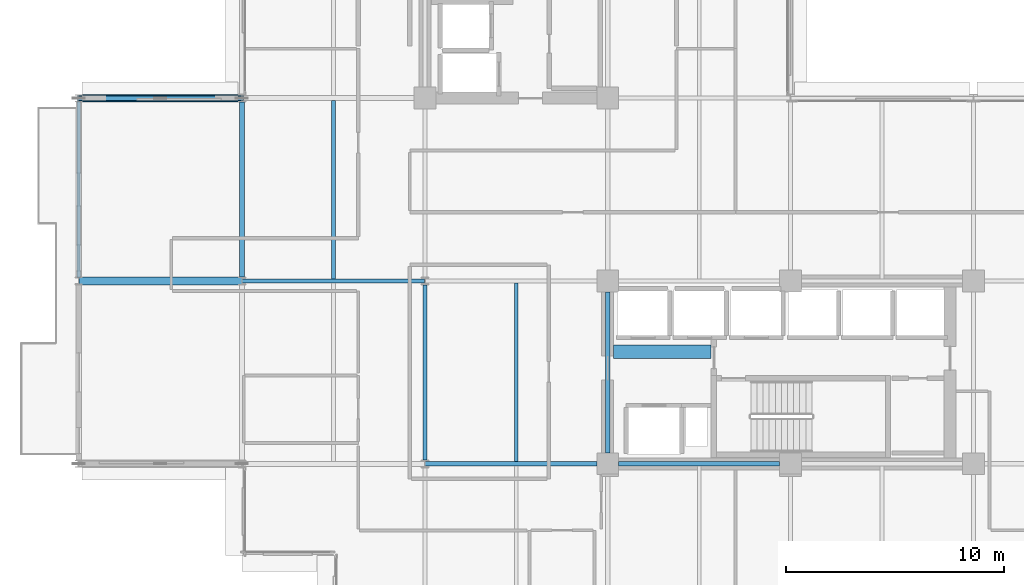
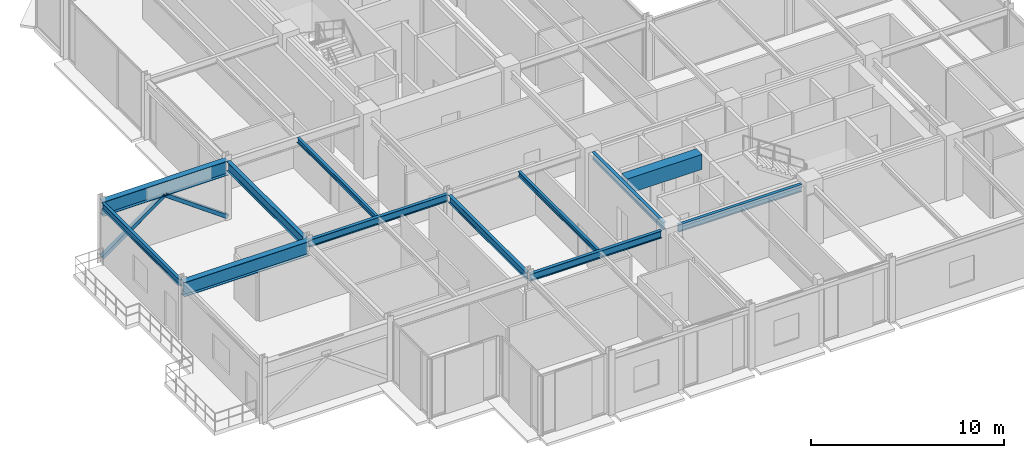
# One storey, part 8 of 30: 12 beams, 2 members.
"""IFC4 building model written with IfcOpenShell, lengths in metres."""

from ifc_helpers import new_model, si_unit, direction, frame, origin, origin_2d, place, context, subcontext, project, spatial, rectangle, hollow_rectangle, i_section, extrude, material, material_profile, profile_set, type_object, element, save


model = new_model("IFC4")

# Units and contexts
model_context = context("Model", 3, precision=1e-05, world=origin(), true_north=direction((0.0, 1.0)))
body_context = subcontext(model_context, "Body", "Model", "MODEL_VIEW")
ifc_project = project(units=[si_unit("LENGTHUNIT", "METRE"), si_unit("AREAUNIT", "SQUARE_METRE"), si_unit("VOLUMEUNIT", "CUBIC_METRE"), si_unit("PLANEANGLEUNIT", "RADIAN"), si_unit("MASSUNIT", "GRAM", prefix="KILO")], contexts=[model_context])

# Site, building, storey
site_placement = place(None, origin())
site = spatial("IfcSite", under=ifc_project, at=site_placement, CompositionType="ELEMENT")
building_placement = place(site_placement, origin())
building = spatial("IfcBuilding", under=site, at=building_placement, Name="Nerrivon Quay Data Exchange", CompositionType="ELEMENT")
storey_placement = place(building_placement, frame((0.0, 0.0, 216.5)))
storey = spatial("IfcBuildingStorey", under=building, at=storey_placement, Name="L51", CompositionType="ELEMENT", Elevation=216.5)

# Beams
ifc_material_1 = material(Name="Steel Grade 350", Category="steel")
ifc_material_profile_1 = material_profile(ifc_material_1, i_section(OverallWidth=0.35009765625, OverallDepth=0.909912109375, WebThickness=0.011962890625, FlangeThickness=0.02490234375, at=origin_2d()), Name="900WB218")
ifc_profile_set_1 = profile_set([ifc_material_profile_1], Name="Steel Grade 350")
beam_type_1 = type_object("IfcBeamType", Name="BM-CANT-900WB", PredefinedType="USERDEFINED", material=ifc_profile_set_1)
for number, where, z_axis, x_axis, name in (
    (1, (-0.010009765625, 16.800048828125, 3.294921875), (-1.0, 0.0, 0.0), (0.0, -1.0, 0.0), "L51 West Hooked Cantilever Girder Y=16.8"),
    (2, (-0.010009765625, 25.199951171875, 3.294921875), (-1.0, 0.0, 0.0), (0.0, -1.0, 0.0), "L51 West Hooked Cantilever Girder Y=25.2"),
):
    element("IfcBeam", number, at=place(storey_placement, frame(where, z_axis=z_axis, x_axis=x_axis)), inside=storey, type_object=beam_type_1, Name=name, ObjectType="TRANSFER", PredefinedType="USERDEFINED", context=body_context, shape_type="SweptSolid", body=[
        extrude(i_section(OverallWidth=0.35009765625, OverallDepth=0.909912109375, WebThickness=0.011962890625, FlangeThickness=0.02490234375, at=origin_2d()), origin(), (0.0, 0.0, 1.0), 7.482177734375),
    ])
ifc_material_2 = material(Name="Concrete N50 (50 MPa)", Category="concrete")
ifc_material_profile_2 = material_profile(ifc_material_2, rectangle(XDim=0.60009765625, YDim=0.949951171875, at=origin_2d()), Name="RC-CB-600x950")
ifc_profile_set_2 = profile_set([ifc_material_profile_2], Name="Concrete N50 (50 MPa)")
beam_type_2 = type_object("IfcBeamType", Name="BM-CB2-600x950", PredefinedType="LINTEL", material=ifc_profile_set_2)
beam_1_placement = place(storey_placement, frame((17.074951171875, 13.550048828125, 3.27490234375), z_axis=(1.0, 0.0, 0.0), x_axis=(0.0, 1.0, 0.0)))
element("IfcBeam", 3, at=beam_1_placement, inside=storey, type_object=beam_type_2, Name="L51 East Core Coupling Beam", PredefinedType="LINTEL", context=body_context, shape_type="SweptSolid", body=[
    extrude(rectangle(XDim=0.60009765625, YDim=0.949951171875, at=origin_2d()), origin(), (0.0, 0.0, 1.0), 4.47998046875),
])
ifc_material_profile_3 = material_profile(ifc_material_1, i_section(OverallWidth=0.22802734375, OverallDepth=0.60205078125, WebThickness=0.010498046875, FlangeThickness=0.014892578125, FilletRadius=0.013916015625, at=origin_2d()), Name="610UB101")
ifc_profile_set_3 = profile_set([ifc_material_profile_3], Name="Steel Grade 350")
beam_type_3 = type_object("IfcBeamType", Name="BM-G2-610UB101", PredefinedType="BEAM", material=ifc_profile_set_3)
beam_2_placement = place(storey_placement, frame((0.0, 16.97509765625, 3.448974609375), z_axis=(0.0, 1.0, 0.0), x_axis=(-1.0, 0.0, 0.0)))
element("IfcBeam", 4, at=beam_2_placement, inside=storey, type_object=beam_type_3, Name="L51 NS Girder X=0.0 (16.8..25.2)", PredefinedType="BEAM", context=body_context, shape_type="SweptSolid", body=[
    extrude(i_section(OverallWidth=0.22802734375, OverallDepth=0.60205078125, WebThickness=0.010498046875, FlangeThickness=0.014892578125, FilletRadius=0.013916015625, at=origin_2d()), origin(), (0.0, 0.0, 1.0), 8.0498046875),
])
ifc_material_profile_4 = material_profile(ifc_material_1, i_section(OverallWidth=0.19091796875, OverallDepth=0.4599609375, WebThickness=0.010009765625, FlangeThickness=0.01611328125, FilletRadius=0.011474609375, at=origin_2d()), Name="460UB82.1")
ifc_profile_set_4 = profile_set([ifc_material_profile_4], Name="Steel Grade 350")
beam_type_4 = type_object("IfcBeamType", Name="BM-G5-460UB82", PredefinedType="BEAM", material=ifc_profile_set_4)
beam_3_placement = place(storey_placement, frame((8.409912109375, 8.39990234375, 3.52001953125), z_axis=(1.0, 0.0, 0.0), x_axis=(0.0, 1.0, 0.0)))
element("IfcBeam", 5, at=beam_3_placement, inside=storey, type_object=beam_type_4, Name="L51 EW Girder Y=8.4 (8.4..16.8)", PredefinedType="BEAM", context=body_context, shape_type="SweptSolid", body=[
    extrude(i_section(OverallWidth=0.19091796875, OverallDepth=0.4599609375, WebThickness=0.010009765625, FlangeThickness=0.01611328125, FilletRadius=0.011474609375, at=origin_2d()), origin(), (0.0, 0.0, 1.0), 7.89013671875),
])
beam_4_placement = place(storey_placement, frame((17.300048828125, 8.39990234375, 3.52001953125), z_axis=(1.0, 0.0, 0.0), x_axis=(0.0, 1.0, 0.0)))
element("IfcBeam", 6, at=beam_4_placement, inside=storey, type_object=beam_type_4, Name="L51 EW Girder Y=8.4 (16.8..25.2)", PredefinedType="BEAM", context=body_context, shape_type="SweptSolid", body=[
    extrude(i_section(OverallWidth=0.19091796875, OverallDepth=0.4599609375, WebThickness=0.010009765625, FlangeThickness=0.01611328125, FilletRadius=0.011474609375, at=origin_2d()), origin(), (0.0, 0.0, 1.0), 7.39990234375),
])
beam_5_placement = place(storey_placement, frame((0.010009765625, 16.800048828125, 3.52001953125), z_axis=(1.0, 0.0, 0.0), x_axis=(0.0, 1.0, 0.0)))
element("IfcBeam", 7, at=beam_5_placement, inside=storey, type_object=beam_type_4, Name="L51 EW Girder Y=16.8 (0.0..8.4)", PredefinedType="BEAM", context=body_context, shape_type="SweptSolid", body=[
    extrude(i_section(OverallWidth=0.19091796875, OverallDepth=0.4599609375, WebThickness=0.010009765625, FlangeThickness=0.01611328125, FilletRadius=0.011474609375, at=origin_2d()), origin(), (0.0, 0.0, 1.0), 8.3798828125),
])
ifc_material_profile_5 = material_profile(ifc_material_1, i_section(OverallWidth=0.18994140625, OverallDepth=0.4541015625, WebThickness=0.008544921875, FlangeThickness=0.0126953125, FilletRadius=0.011474609375, at=origin_2d()), Name="460UB67.1")
ifc_profile_set_5 = profile_set([ifc_material_profile_5], Name="Steel Grade 350")
beam_type_5 = type_object("IfcBeamType", Name="BM-G6-460UB67", PredefinedType="BEAM", material=ifc_profile_set_5)
beam_6_placement = place(storey_placement, frame((8.39990234375, 8.574951171875, 3.52294921875), z_axis=(0.0, 1.0, 0.0), x_axis=(-1.0, 0.0, 0.0)))
element("IfcBeam", 8, at=beam_6_placement, inside=storey, type_object=beam_type_5, Name="L51 NS Girder X=8.4 (8.4..16.8)", PredefinedType="BEAM", context=body_context, shape_type="SweptSolid", body=[
    extrude(i_section(OverallWidth=0.18994140625, OverallDepth=0.4541015625, WebThickness=0.008544921875, FlangeThickness=0.0126953125, FilletRadius=0.011474609375, at=origin_2d()), origin(), (0.0, 0.0, 1.0), 8.050048828125),
])
beam_7_placement = place(storey_placement, frame((16.800048828125, 8.89990234375, 3.52294921875), z_axis=(0.0, 1.0, 0.0), x_axis=(-1.0, 0.0, 0.0)))
element("IfcBeam", 9, at=beam_7_placement, inside=storey, type_object=beam_type_5, Name="L51 NS Girder X=16.8 (8.4..16.8)", PredefinedType="BEAM", context=body_context, shape_type="SweptSolid", body=[
    extrude(i_section(OverallWidth=0.18994140625, OverallDepth=0.4541015625, WebThickness=0.008544921875, FlangeThickness=0.0126953125, FilletRadius=0.011474609375, at=origin_2d()), origin(), (0.0, 0.0, 1.0), 7.400146484375),
])
ifc_material_profile_6 = material_profile(ifc_material_1, i_section(OverallWidth=0.166015625, OverallDepth=0.306884765625, WebThickness=0.006591796875, FlangeThickness=0.01171875, FilletRadius=0.011474609375, at=origin_2d()), Name="310UB46.2")
ifc_profile_set_6 = profile_set([ifc_material_profile_6], Name="Steel Grade 350")
beam_type_6 = type_object("IfcBeamType", Name="BM-J5-310UB46", PredefinedType="JOIST", material=ifc_profile_set_6)
beam_8_placement = place(storey_placement, frame((4.199951171875, 16.8955078125, 3.596435546875), z_axis=(0.0, 1.0, 0.0), x_axis=(-1.0, 0.0, 0.0)))
element("IfcBeam", 10, at=beam_8_placement, inside=storey, type_object=beam_type_6, Name="L51 Secondary Joist X=4.2 (16.8..25.2)", PredefinedType="JOIST", context=body_context, shape_type="SweptSolid", body=[
    extrude(i_section(OverallWidth=0.166015625, OverallDepth=0.306884765625, WebThickness=0.006591796875, FlangeThickness=0.01171875, FilletRadius=0.011474609375, at=origin_2d()), origin(), (0.0, 0.0, 1.0), 8.18994140625),
])
beam_9_placement = place(storey_placement, frame((12.60009765625, 8.49560546875, 3.596435546875), z_axis=(0.0, 1.0, 0.0), x_axis=(-1.0, 0.0, 0.0)))
element("IfcBeam", 11, at=beam_9_placement, inside=storey, type_object=beam_type_6, Name="L51 Secondary Joist X=12.6 (8.4..16.8)", PredefinedType="JOIST", context=body_context, shape_type="SweptSolid", body=[
    extrude(i_section(OverallWidth=0.166015625, OverallDepth=0.306884765625, WebThickness=0.006591796875, FlangeThickness=0.01171875, FilletRadius=0.011474609375, at=origin_2d()), origin(), (0.0, 0.0, 1.0), 8.208984375),
])
ifc_material_profile_7 = material_profile(ifc_material_1, i_section(OverallWidth=0.177978515625, OverallDepth=0.403076171875, WebThickness=0.007568359375, FlangeThickness=0.010986328125, FilletRadius=0.011474609375, at=origin_2d()), Name="410UB53.7")
ifc_profile_set_7 = profile_set([ifc_material_profile_7], Name="Steel Grade 350")
beam_type_7 = type_object("IfcBeamType", Name="BM-SP2-410UB54", PredefinedType="SPANDREL", material=ifc_profile_set_7)
beam_10_placement = place(storey_placement, frame((-7.5, 16.96337890625, 3.548583984375), z_axis=(0.0, 1.0, 0.0), x_axis=(-1.0, 0.0, 0.0)))
element("IfcBeam", 12, at=beam_10_placement, inside=storey, type_object=beam_type_7, Name="L51 West Hooked Edge Spandrel", PredefinedType="SPANDREL", context=body_context, shape_type="SweptSolid", body=[
    extrude(i_section(OverallWidth=0.177978515625, OverallDepth=0.403076171875, WebThickness=0.007568359375, FlangeThickness=0.010986328125, FilletRadius=0.011474609375, at=origin_2d()), origin(), (0.0, 0.0, 1.0), 8.0732421875),
])

# Members
ifc_material_3 = material(Name="Steel Grade C350L0 (350 MPa)", Category="steel")
ifc_material_profile_8 = material_profile(ifc_material_3, hollow_rectangle(XDim=0.25, YDim=0.25, WallThickness=0.012451171875, InnerFilletRadius=0.018798828125, OuterFilletRadius=0.03125, at=origin_2d()), Name="250x250x12.5SHS")
ifc_profile_set_8 = profile_set([ifc_material_profile_8], Name="Steel Grade C350L0 (350 MPa)")
member_type = type_object("IfcMemberType", Name="MEM-WB1-250SHS", PredefinedType="BRACE", material=ifc_profile_set_8)
member_1_placement = place(storey_placement, frame((-0.010009765625, 25.199951171875, 0.159912109375), z_axis=(-0.811802628091, 0.0, 0.583931924991), x_axis=(0.0, -1.0, 0.0)))
element("IfcMember", 13, at=member_1_placement, inside=storey, type_object=member_type, Name="L51 structural brace BR-L51-WHOOK-252A", PredefinedType="BRACE", context=body_context, shape_type="SweptSolid", body=[
    extrude(hollow_rectangle(XDim=0.25, YDim=0.25, WallThickness=0.012451171875, InnerFilletRadius=0.018798828125, OuterFilletRadius=0.03125, at=origin_2d()), origin(), (0.0, 0.0, 1.0), 4.60693359375),
])
member_2_placement = place(storey_placement, frame((-7.4921875, 25.199951171875, 0.159912109375), z_axis=(0.811965158565, 0.0, 0.583705903068), x_axis=(0.0, 1.0, 0.0)))
element("IfcMember", 14, at=member_2_placement, inside=storey, type_object=member_type, Name="L51 structural brace BR-L51-WHOOK-252B", PredefinedType="BRACE", context=body_context, shape_type="SweptSolid", body=[
    extrude(hollow_rectangle(XDim=0.25, YDim=0.25, WallThickness=0.012451171875, InnerFilletRadius=0.018798828125, OuterFilletRadius=0.03125, at=origin_2d()), origin(), (0.0, 0.0, 1.0), 4.60888671875),
])

save(model, "model.ifc")
